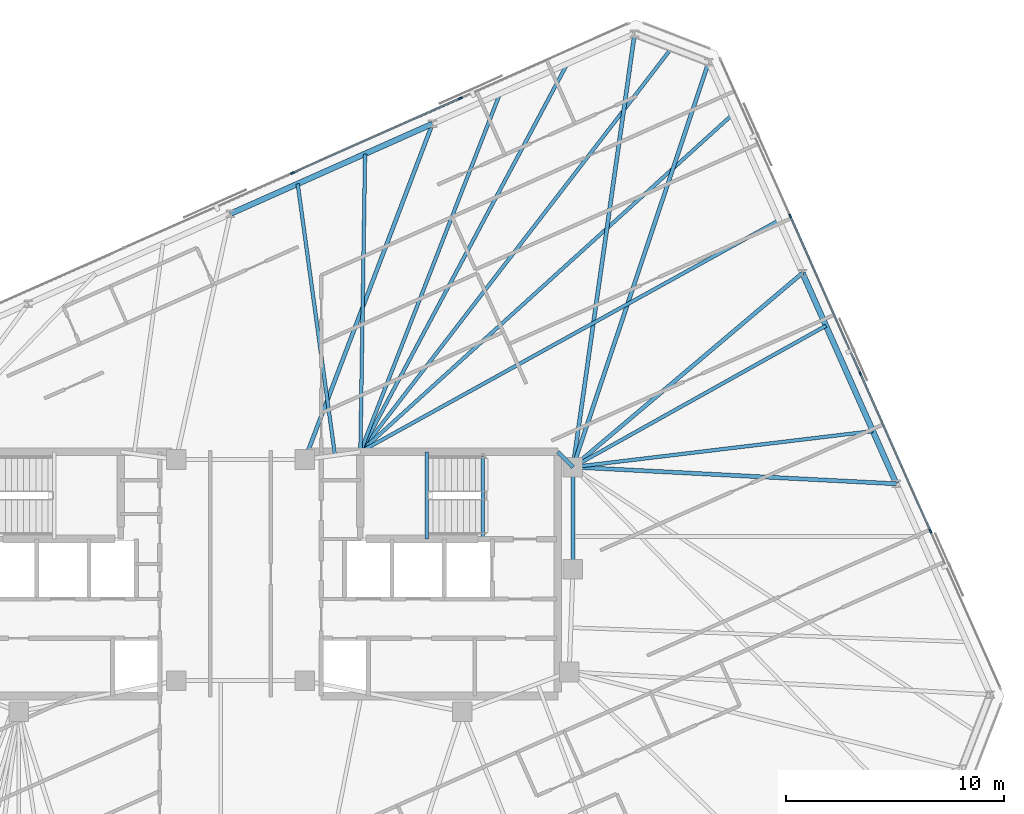
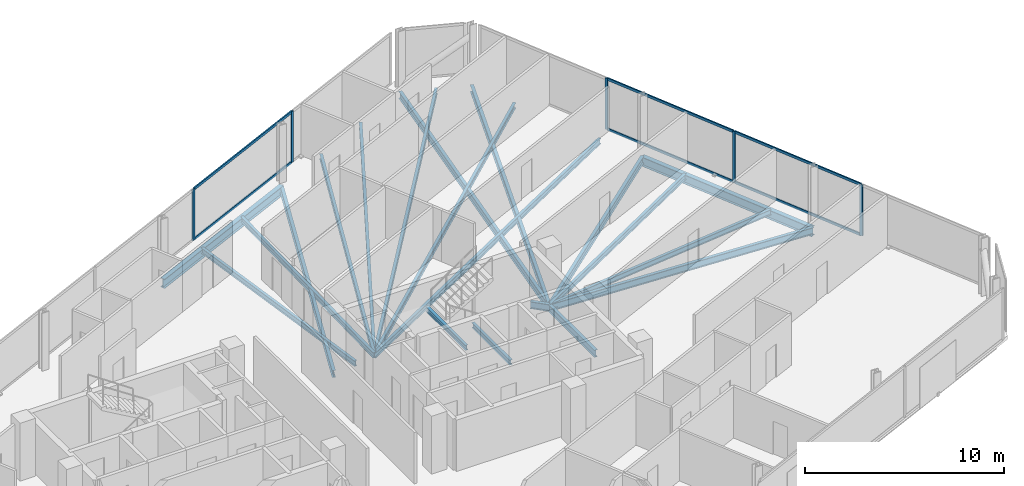
# One storey, part 10 of 19: 20 beams, 11 members, 2 elements without a shape of their own.
"""IFC4 building model written with IfcOpenShell, lengths in metres."""

from ifc_helpers import new_model, si_unit, direction, frame, origin, origin_2d, place, context, subcontext, project, spatial, rectangle, i_section, extrude, material, material_profile, profile_set, type_object, element, aggregate, save


model = new_model("IFC4")

# Units and contexts
model_context = context("Model", 3, precision=1e-05, world=origin(), true_north=direction((0.0, 1.0)))
body_context = subcontext(model_context, "Body", "Model", "MODEL_VIEW")
ifc_project = project(units=[si_unit("LENGTHUNIT", "METRE"), si_unit("AREAUNIT", "SQUARE_METRE"), si_unit("VOLUMEUNIT", "CUBIC_METRE"), si_unit("PLANEANGLEUNIT", "RADIAN"), si_unit("MASSUNIT", "GRAM", prefix="KILO")], contexts=[model_context])

# Site, building, storey
site_placement = place(None, origin())
site = spatial("IfcSite", under=ifc_project, at=site_placement, CompositionType="ELEMENT")
building_placement = place(site_placement, origin())
building = spatial("IfcBuilding", under=site, at=building_placement, Name="Menara Jurai Vektor", CompositionType="ELEMENT")
storey_placement = place(building_placement, frame((0.0, 0.0, 302.0)))
storey = spatial("IfcBuildingStorey", under=building, at=storey_placement, Name="L81", CompositionType="ELEMENT", Elevation=302.0)

# Curtain wall, members
ifc_material_1 = material(Name="Anodised Pale Aluminium & Low-E Double Glazing", Category="aluminium")
curtain_wall_type = type_object("IfcCurtainWallType", Name="CW-BLK5", PredefinedType="NOTDEFINED", material=ifc_material_1)
curtain_wall_1_placement = place(storey_placement, origin())
curtain_wall_1 = element("IfcCurtainWall", 1, at=curtain_wall_1_placement, inside=storey, type_object=curtain_wall_type, Name="Unitised Curtain Wall L81 F03", PredefinedType="NOTDEFINED")
ifc_material_2 = material(Name="Anodised Pale Aluminium Mullion", Category="aluminium")
ifc_material_profile_1 = material_profile(ifc_material_2, rectangle(XDim=0.074951171875, YDim=0.175048828125, at=origin_2d()), Name="ALU MUL 75x175")
ifc_profile_set_1 = profile_set([ifc_material_profile_1], Name="Anodised Pale Aluminium Mullion")
member_type_1 = type_object("IfcMemberType", Name="CW-BLK5-MUL", PredefinedType="MULLION", material=ifc_profile_set_1)
member_1_placement = place(storey_placement, frame((31.6533203125, 1.9658203125, 0.0), z_axis=(0.0, 0.0, 1.0), x_axis=(-0.913546127706, -0.406735138086, 0.0)))
member_1 = element("IfcMember", 2, at=member_1_placement, type_object=member_type_1, Name="CW-05 mullion 2", PredefinedType="MULLION", context=body_context, shape_type="SweptSolid", body=[
    extrude(rectangle(XDim=0.074951171875, YDim=0.175048828125, at=origin_2d()), origin(), (0.0, 0.0, 1.0), 3.14501953125),
])
member_2_placement = place(storey_placement, frame((28.43603515625, 9.19189453125, 0.0), z_axis=(0.0, 0.0, 1.0), x_axis=(-0.913546127706, -0.406735138086, 0.0)))
member_2 = element("IfcMember", 3, at=member_2_placement, type_object=member_type_1, Name="CW-05 mullion 3", PredefinedType="MULLION", context=body_context, shape_type="SweptSolid", body=[
    extrude(rectangle(XDim=0.074951171875, YDim=0.175048828125, at=origin_2d()), origin(), (0.0, 0.0, 1.0), 3.14501953125),
])
member_3_placement = place(storey_placement, frame((25.21875, 16.418212890625, 0.0), z_axis=(0.0, 0.0, 1.0), x_axis=(-0.913546127706, -0.406735138086, 0.0)))
member_3 = element("IfcMember", 4, at=member_3_placement, type_object=member_type_1, Name="CW-05 mullion 4", PredefinedType="MULLION", context=body_context, shape_type="SweptSolid", body=[
    extrude(rectangle(XDim=0.074951171875, YDim=0.175048828125, at=origin_2d()), origin(), (0.0, 0.0, 1.0), 3.14501953125),
])

curtain_wall_2_placement = place(storey_placement, origin())
curtain_wall_2 = element("IfcCurtainWall", 5, at=curtain_wall_2_placement, inside=storey, type_object=curtain_wall_type, Name="Unitised Curtain Wall L81 F05", PredefinedType="NOTDEFINED")
member_4_placement = place(storey_placement, frame((10.0927734375, 21.822998046875, 0.0), z_axis=(0.0, 0.0, 1.0), x_axis=(0.406735498684, -0.913545967158, 0.0)))
member_4 = element("IfcMember", 6, at=member_4_placement, type_object=member_type_1, Name="CW-05 mullion 2", PredefinedType="MULLION", context=body_context, shape_type="SweptSolid", body=[
    extrude(rectangle(XDim=0.074951171875, YDim=0.175048828125, at=origin_2d()), origin(), (0.0, 0.0, 1.0), 3.14501953125),
])
member_5_placement = place(storey_placement, frame((2.38232421875, 18.39013671875, 0.0), z_axis=(0.0, 0.0, 1.0), x_axis=(0.406735498684, -0.913545967158, 0.0)))
member_5 = element("IfcMember", 7, at=member_5_placement, type_object=member_type_1, Name="CW-05 mullion 3", PredefinedType="MULLION", context=body_context, shape_type="SweptSolid", body=[
    extrude(rectangle(XDim=0.074951171875, YDim=0.175048828125, at=origin_2d()), origin(), (0.0, 0.0, 1.0), 3.14501953125),
])

# Member
ifc_material_3 = material(Name="Anodised Pale Aluminium Transom", Category="aluminium")
ifc_material_profile_2 = material_profile(ifc_material_3, rectangle(XDim=0.074951171875, YDim=0.155029296875, at=origin_2d()), Name="ALU TRN 75x155")
ifc_profile_set_2 = profile_set([ifc_material_profile_2], Name="Anodised Pale Aluminium Transom")
member_type_2 = type_object("IfcMemberType", Name="CW-BLK5-TRN", PredefinedType="USERDEFINED", material=ifc_profile_set_2)
member_6_placement = place(storey_placement, frame((31.63818359375, 2.0, 0.03759765625), z_axis=(-0.406731062496, 0.913547942256, 0.0), x_axis=(-0.913547942256, -0.406731062496, 0.0)))
member_6 = element("IfcMember", 8, at=member_6_placement, type_object=member_type_2, Name="CW-05 transom 2.1", ObjectType="TRANSOM", PredefinedType="USERDEFINED", context=body_context, shape_type="SweptSolid", body=[
    extrude(rectangle(XDim=0.074951171875, YDim=0.155029296875, at=origin_2d()), origin(), (0.0, 0.0, 1.0), 7.8349609375),
])

member_7_placement = place(storey_placement, frame((31.63818359375, 2.0, 3.107421875), z_axis=(-0.406731062496, 0.913547942256, 0.0), x_axis=(-0.913547942256, -0.406731062496, 0.0)))
member_7 = element("IfcMember", 9, at=member_7_placement, type_object=member_type_2, Name="CW-05 transom 2.2", ObjectType="TRANSOM", PredefinedType="USERDEFINED", context=body_context, shape_type="SweptSolid", body=[
    extrude(rectangle(XDim=0.074951171875, YDim=0.155029296875, at=origin_2d()), origin(), (0.0, 0.0, 1.0), 7.8349609375),
])

member_8_placement = place(storey_placement, frame((28.4208984375, 9.226318359375, 0.03759765625), z_axis=(-0.40674264085, 0.913542787238, 0.0), x_axis=(-0.913542787238, -0.40674264085, 0.0)))
member_8 = element("IfcMember", 10, at=member_8_placement, type_object=member_type_2, Name="CW-05 transom 3.1", ObjectType="TRANSOM", PredefinedType="USERDEFINED", context=body_context, shape_type="SweptSolid", body=[
    extrude(rectangle(XDim=0.074951171875, YDim=0.155029296875, at=origin_2d()), origin(), (0.0, 0.0, 1.0), 7.8349609375),
])

member_9_placement = place(storey_placement, frame((28.4208984375, 9.226318359375, 3.107421875), z_axis=(-0.40674264085, 0.913542787238, 0.0), x_axis=(-0.913542787238, -0.40674264085, 0.0)))
member_9 = element("IfcMember", 11, at=member_9_placement, type_object=member_type_2, Name="CW-05 transom 3.2", ObjectType="TRANSOM", PredefinedType="USERDEFINED", context=body_context, shape_type="SweptSolid", body=[
    extrude(rectangle(XDim=0.074951171875, YDim=0.155029296875, at=origin_2d()), origin(), (0.0, 0.0, 1.0), 7.8349609375),
])

aggregate(curtain_wall_1, [member_1, member_2, member_3, member_6, member_7, member_8, member_9])

member_10_placement = place(storey_placement, frame((10.058349609375, 21.807861328125, 0.03759765625), z_axis=(-0.913546575494, -0.406734132331, 0.0), x_axis=(0.406734132331, -0.913546575494, 0.0)))
member_10 = element("IfcMember", 12, at=member_10_placement, type_object=member_type_2, Name="CW-05 transom 2.1", ObjectType="TRANSOM", PredefinedType="USERDEFINED", context=body_context, shape_type="SweptSolid", body=[
    extrude(rectangle(XDim=0.074951171875, YDim=0.155029296875, at=origin_2d()), origin(), (0.0, 0.0, 1.0), 8.364990234375),
])

member_11_placement = place(storey_placement, frame((10.058349609375, 21.807861328125, 3.107421875), z_axis=(-0.913546575494, -0.406734132331, 0.0), x_axis=(0.406734132331, -0.913546575494, 0.0)))
member_11 = element("IfcMember", 13, at=member_11_placement, type_object=member_type_2, Name="CW-05 transom 2.2", ObjectType="TRANSOM", PredefinedType="USERDEFINED", context=body_context, shape_type="SweptSolid", body=[
    extrude(rectangle(XDim=0.074951171875, YDim=0.155029296875, at=origin_2d()), origin(), (0.0, 0.0, 1.0), 8.364990234375),
])

aggregate(curtain_wall_2, [member_4, member_5, member_10, member_11])

# Beams
ifc_material_4 = material(Name="Steel S355", Category="steel")
ifc_material_profile_3 = material_profile(ifc_material_4, i_section(OverallWidth=0.18505859375, OverallDepth=0.429931640625, WebThickness=0.010986328125, FlangeThickness=0.01806640625, at=origin_2d()), Name="PG 430x185x76")
ifc_profile_set_3 = profile_set([ifc_material_profile_3], Name="Steel S355")
beam_type_1 = type_object("IfcBeamType", Name="STR-BM-430", PredefinedType="BEAM", material=ifc_profile_set_3)
beam_1_placement = place(storey_placement, frame((14.56005859375, 5.60009765625, -0.43994140625), z_axis=(0.701871936926, -0.712303154672, 0.0), x_axis=(0.712303154672, 0.701871936926, 0.0)))
element("IfcBeam", 14, at=beam_1_placement, inside=storey, type_object=beam_type_1, Name="Core Ring Header Girder L81-CHE-N2", PredefinedType="BEAM", context=body_context, shape_type="SweptSolid", body=[
    extrude(i_section(OverallWidth=0.18505859375, OverallDepth=0.429931640625, WebThickness=0.010986328125, FlangeThickness=0.01806640625, at=origin_2d()), origin(), (0.0, 0.0, 1.0), 0.98291015625),
])
beam_2_placement = place(storey_placement, frame((15.25, 0.219970703125, -0.43994140625), z_axis=(0.0, 1.0, 0.0), x_axis=(-1.0, 0.0, 0.0)))
element("IfcBeam", 15, at=beam_2_placement, inside=storey, type_object=beam_type_1, Name="Core Ring Header Girder L81-CHE-E1", PredefinedType="BEAM", context=body_context, shape_type="SweptSolid", body=[
    extrude(i_section(OverallWidth=0.18505859375, OverallDepth=0.429931640625, WebThickness=0.010986328125, FlangeThickness=0.01806640625, at=origin_2d()), origin(), (0.0, 0.0, 1.0), 4.679931640625),
])
beam_3_placement = place(storey_placement, frame((30.086181640625, 4.13330078125, -0.43994140625), z_axis=(-0.998667716832, 0.051602241782, 0.0), x_axis=(-0.051602241782, -0.998667716832, 0.0)))
element("IfcBeam", 16, at=beam_3_placement, inside=storey, type_object=beam_type_1, Name="Radial Floor Girder L81-E2", PredefinedType="BEAM", context=body_context, shape_type="SweptSolid", body=[
    extrude(i_section(OverallWidth=0.18505859375, OverallDepth=0.429931640625, WebThickness=0.010986328125, FlangeThickness=0.01806640625, at=origin_2d()), origin(), (0.0, 0.0, 1.0), 14.85595703125),
])
beam_4_placement = place(storey_placement, frame((25.781005859375, 13.80322265625, -0.43994140625), z_axis=(-0.763655500673, -0.6456239434, 0.0), x_axis=(0.6456239434, -0.763655500673, 0.0)))
element("IfcBeam", 17, at=beam_4_placement, inside=storey, type_object=beam_type_1, Name="Radial Floor Girder L81-E3", PredefinedType="BEAM", context=body_context, shape_type="SweptSolid", body=[
    extrude(i_section(OverallWidth=0.18505859375, OverallDepth=0.429931640625, WebThickness=0.010986328125, FlangeThickness=0.01806640625, at=origin_2d()), origin(), (0.0, 0.0, 1.0), 13.790283203125),
])
beam_5_placement = place(storey_placement, frame((21.4755859375, 23.473388671875, -0.43994140625), z_axis=(-0.317808893183, -0.948154790851, 0.0), x_axis=(0.948154790851, -0.317808893183, 0.0)))
element("IfcBeam", 18, at=beam_5_placement, inside=storey, type_object=beam_type_1, Name="Radial Floor Girder L81-E4", PredefinedType="BEAM", context=body_context, shape_type="SweptSolid", body=[
    extrude(i_section(OverallWidth=0.18505859375, OverallDepth=0.429931640625, WebThickness=0.010986328125, FlangeThickness=0.01806640625, at=origin_2d()), origin(), (0.0, 0.0, 1.0), 19.589111328125),
])
beam_6_placement = place(storey_placement, frame((18.07958984375, 24.777099609375, -0.43994140625), z_axis=(-0.140932755913, -0.990019170678, 0.0), x_axis=(0.990019170678, -0.140932755913, 0.0)))
element("IfcBeam", 19, at=beam_6_placement, inside=storey, type_object=beam_type_1, Name="Radial Floor Girder L81-N1", PredefinedType="BEAM", context=body_context, shape_type="SweptSolid", body=[
    extrude(i_section(OverallWidth=0.18505859375, OverallDepth=0.429931640625, WebThickness=0.010986328125, FlangeThickness=0.01806640625, at=origin_2d()), origin(), (0.0, 0.0, 1.0), 20.07763671875),
])
beam_7_placement = place(storey_placement, frame((8.805908203125, 20.648193359375, -0.43994140625), z_axis=(-0.355464051758, -0.934689952823, 0.0), x_axis=(0.934689952823, -0.355464051758, 0.0)))
element("IfcBeam", 20, at=beam_7_placement, inside=storey, type_object=beam_type_1, Name="Radial Floor Girder L81-N2", PredefinedType="BEAM", context=body_context, shape_type="SweptSolid", body=[
    extrude(i_section(OverallWidth=0.18505859375, OverallDepth=0.429931640625, WebThickness=0.010986328125, FlangeThickness=0.01806640625, at=origin_2d()), origin(), (0.0, 0.0, 1.0), 16.47412109375),
])
ifc_material_profile_4 = material_profile(ifc_material_4, i_section(OverallWidth=0.1650390625, OverallDepth=0.330078125, WebThickness=0.009033203125, FlangeThickness=0.013916015625, at=origin_2d()), Name="PG 330x165x46")
ifc_profile_set_4 = profile_set([ifc_material_profile_4], Name="Steel S355")
beam_type_2 = type_object("IfcBeamType", Name="STR-JS-330", PredefinedType="JOIST", material=ifc_profile_set_4)
beam_8_placement = place(storey_placement, frame((29.010009765625, 6.55078125, -0.389892578125), z_axis=(-0.992879589053, -0.119122296999, 0.0), x_axis=(0.119122296999, -0.992879589053, 0.0)))
element("IfcBeam", 21, at=beam_8_placement, inside=storey, type_object=beam_type_2, Name="Radial Secondary Floor Joist L81-JS10", PredefinedType="JOIST", context=body_context, shape_type="SweptSolid", body=[
    extrude(i_section(OverallWidth=0.1650390625, OverallDepth=0.330078125, WebThickness=0.009033203125, FlangeThickness=0.013916015625, at=origin_2d()), origin(), (0.0, 0.0, 1.0), 13.858642578125),
])
beam_9_placement = place(storey_placement, frame((26.857177734375, 11.3857421875, -0.389892578125), z_axis=(-0.872960269613, -0.487791315705, 0.0), x_axis=(0.487791315705, -0.872960269613, 0.0)))
element("IfcBeam", 22, at=beam_9_placement, inside=storey, type_object=beam_type_2, Name="Radial Secondary Floor Joist L81-JS11", PredefinedType="JOIST", context=body_context, shape_type="SweptSolid", body=[
    extrude(i_section(OverallWidth=0.1650390625, OverallDepth=0.330078125, WebThickness=0.009033203125, FlangeThickness=0.013916015625, at=origin_2d()), origin(), (0.0, 0.0, 1.0), 13.29638671875),
])
beam_10_placement = place(storey_placement, frame((24.70458984375, 16.220703125, -0.389892578125), z_axis=(-0.87509599458, -0.483949377797, 0.0), x_axis=(0.483949377797, -0.87509599458, 0.0)))
element("IfcBeam", 23, at=beam_10_placement, inside=storey, type_object=beam_type_2, Name="Radial Secondary Floor Joist L81-JS12", PredefinedType="JOIST", context=body_context, shape_type="SweptSolid", body=[
    extrude(i_section(OverallWidth=0.1650390625, OverallDepth=0.330078125, WebThickness=0.009033203125, FlangeThickness=0.013916015625, at=origin_2d()), origin(), (0.0, 0.0, 1.0), 21.94580078125),
])
beam_11_placement = place(storey_placement, frame((22.552001953125, 21.055908203125, -0.389892578125), z_axis=(-0.74093432875, -0.67157748658, 0.0), x_axis=(0.67157748658, -0.74093432875, 0.0)))
element("IfcBeam", 24, at=beam_11_placement, inside=storey, type_object=beam_type_2, Name="Radial Secondary Floor Joist L81-JS13", PredefinedType="JOIST", context=body_context, shape_type="SweptSolid", body=[
    extrude(i_section(OverallWidth=0.1650390625, OverallDepth=0.330078125, WebThickness=0.009033203125, FlangeThickness=0.013916015625, at=origin_2d()), origin(), (0.0, 0.0, 1.0), 23.01416015625),
])
beam_12_placement = place(storey_placement, frame((19.777587890625, 24.125244140625, -0.389892578125), z_axis=(-0.610448519134, -0.792055935832, 0.0), x_axis=(0.792055935832, -0.610448519134, 0.0)))
element("IfcBeam", 25, at=beam_12_placement, inside=storey, type_object=beam_type_2, Name="Radial Secondary Floor Joist L81-JS14", PredefinedType="JOIST", context=body_context, shape_type="SweptSolid", body=[
    extrude(i_section(OverallWidth=0.1650390625, OverallDepth=0.330078125, WebThickness=0.009033203125, FlangeThickness=0.013916015625, at=origin_2d()), origin(), (0.0, 0.0, 1.0), 23.388671875),
])
beam_13_placement = place(storey_placement, frame((14.98828125, 23.400634765625, -0.389892578125), z_axis=(-0.470382173413, -0.882462809945, 0.0), x_axis=(0.882462809945, -0.470382173413, 0.0)))
element("IfcBeam", 26, at=beam_13_placement, inside=storey, type_object=beam_type_2, Name="Radial Secondary Floor Joist L81-JS15", PredefinedType="JOIST", context=body_context, shape_type="SweptSolid", body=[
    extrude(i_section(OverallWidth=0.1650390625, OverallDepth=0.330078125, WebThickness=0.009033203125, FlangeThickness=0.013916015625, at=origin_2d()), origin(), (0.0, 0.0, 1.0), 20.17138671875),
])
beam_14_placement = place(storey_placement, frame((11.897216796875, 22.0244140625, -0.389892578125), z_axis=(-0.36293816309, -0.931813226872, 0.0), x_axis=(0.931813226872, -0.36293816309, 0.0)))
element("IfcBeam", 27, at=beam_14_placement, inside=storey, type_object=beam_type_2, Name="Radial Secondary Floor Joist L81-JS16", PredefinedType="JOIST", context=body_context, shape_type="SweptSolid", body=[
    extrude(i_section(OverallWidth=0.1650390625, OverallDepth=0.330078125, WebThickness=0.009033203125, FlangeThickness=0.013916015625, at=origin_2d()), origin(), (0.0, 0.0, 1.0), 17.626220703125),
])
beam_15_placement = place(storey_placement, frame((5.71484375, 19.27197265625, -0.389892578125), z_axis=(-0.01571234584, -0.999876553475, 0.0), x_axis=(0.999876553475, -0.01571234584, 0.0)))
element("IfcBeam", 28, at=beam_15_placement, inside=storey, type_object=beam_type_2, Name="Radial Secondary Floor Joist L81-JS17", PredefinedType="JOIST", context=body_context, shape_type="SweptSolid", body=[
    extrude(i_section(OverallWidth=0.1650390625, OverallDepth=0.330078125, WebThickness=0.009033203125, FlangeThickness=0.013916015625, at=origin_2d()), origin(), (0.0, 0.0, 1.0), 13.673583984375),
])
beam_16_placement = place(storey_placement, frame((2.62353515625, 17.8955078125, -0.389892578125), z_axis=(0.13599011119, -0.990710194587, 0.0), x_axis=(0.990710194587, 0.13599011119, 0.0)))
element("IfcBeam", 29, at=beam_16_placement, inside=storey, type_object=beam_type_2, Name="Radial Secondary Floor Joist L81-JS18", PredefinedType="JOIST", context=body_context, shape_type="SweptSolid", body=[
    extrude(i_section(OverallWidth=0.1650390625, OverallDepth=0.330078125, WebThickness=0.009033203125, FlangeThickness=0.013916015625, at=origin_2d()), origin(), (0.0, 0.0, 1.0), 12.572265625),
])
ifc_material_profile_5 = material_profile(ifc_material_4, i_section(OverallWidth=0.1650390625, OverallDepth=0.302978515625, WebThickness=0.006103515625, FlangeThickness=0.010009765625, FilletRadius=0.009033203125, at=origin_2d()), Name="UKB 305x165x40")
ifc_profile_set_5 = profile_set([ifc_material_profile_5], Name="Steel S355")
beam_type_3 = type_object("IfcBeamType", Name="STR-LN-305", PredefinedType="LINTEL", material=ifc_profile_set_5)
beam_17_placement = place(storey_placement, frame((11.1201171875, 1.60009765625, -0.37646484375), z_axis=(0.0, 1.0, 0.0), x_axis=(-1.0, 0.0, 0.0)))
element("IfcBeam", 30, at=beam_17_placement, inside=storey, type_object=beam_type_3, Name="Stair Well Floor Trimmer ST2 L81", PredefinedType="LINTEL", context=body_context, shape_type="SweptSolid", body=[
    extrude(i_section(OverallWidth=0.1650390625, OverallDepth=0.302978515625, WebThickness=0.006103515625, FlangeThickness=0.010009765625, FilletRadius=0.009033203125, at=origin_2d()), origin(), (0.0, 0.0, 1.0), 3.81982421875),
])
beam_18_placement = place(storey_placement, frame((8.550048828125, 1.60009765625, 1.423583984375), z_axis=(0.0, 1.0, 0.0), x_axis=(-1.0, 0.0, 0.0)))
element("IfcBeam", 31, at=beam_18_placement, inside=storey, type_object=beam_type_3, Name="Stair Half-Landing Nosing Trimmer ST2-1 L81", PredefinedType="LINTEL", context=body_context, shape_type="SweptSolid", body=[
    extrude(i_section(OverallWidth=0.1650390625, OverallDepth=0.302978515625, WebThickness=0.006103515625, FlangeThickness=0.010009765625, FilletRadius=0.009033203125, at=origin_2d()), origin(), (0.0, 0.0, 1.0), 4.0),
])
ifc_material_profile_6 = material_profile(ifc_material_4, i_section(OverallWidth=0.260009765625, OverallDepth=0.570068359375, WebThickness=0.013916015625, FlangeThickness=0.02392578125, at=origin_2d()), Name="PG 570x260x145")
ifc_profile_set_6 = profile_set([ifc_material_profile_6], Name="Steel S355")
beam_type_4 = type_object("IfcBeamType", Name="STR-SP-570", PredefinedType="SPANDREL", material=ifc_profile_set_6)
beam_19_placement = place(storey_placement, frame((30.086181640625, 4.13330078125, -0.510009765625), z_axis=(-0.406724751578, 0.913550751986, 0.0), x_axis=(-0.913550751986, -0.406724751578, 0.0)))
element("IfcBeam", 32, at=beam_19_placement, inside=storey, type_object=beam_type_4, Name="Exoskeleton Spandrel Beam L81-08", PredefinedType="SPANDREL", context=body_context, shape_type="SweptSolid", body=[
    extrude(i_section(OverallWidth=0.260009765625, OverallDepth=0.570068359375, WebThickness=0.013916015625, FlangeThickness=0.02392578125, at=origin_2d()), origin(), (0.0, 0.0, 1.0), 10.5849609375),
])
beam_20_placement = place(storey_placement, frame((8.805908203125, 20.648193359375, -0.510009765625), z_axis=(-0.913541582548, -0.406745346568, 0.0), x_axis=(0.406745346568, -0.913541582548, 0.0)))
element("IfcBeam", 33, at=beam_20_placement, inside=storey, type_object=beam_type_4, Name="Exoskeleton Spandrel Beam L81-12", PredefinedType="SPANDREL", context=body_context, shape_type="SweptSolid", body=[
    extrude(i_section(OverallWidth=0.260009765625, OverallDepth=0.570068359375, WebThickness=0.013916015625, FlangeThickness=0.02392578125, at=origin_2d()), origin(), (0.0, 0.0, 1.0), 10.151123046875),
])

save(model, "model.ifc")
